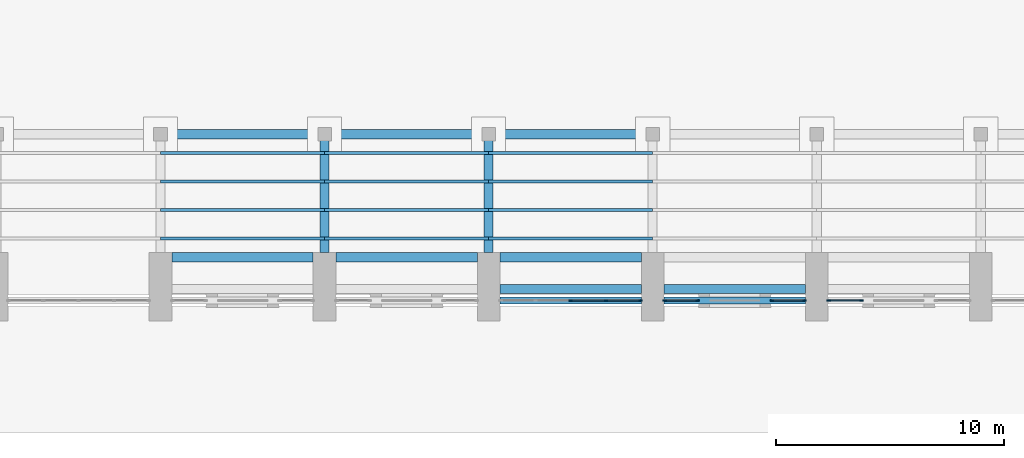
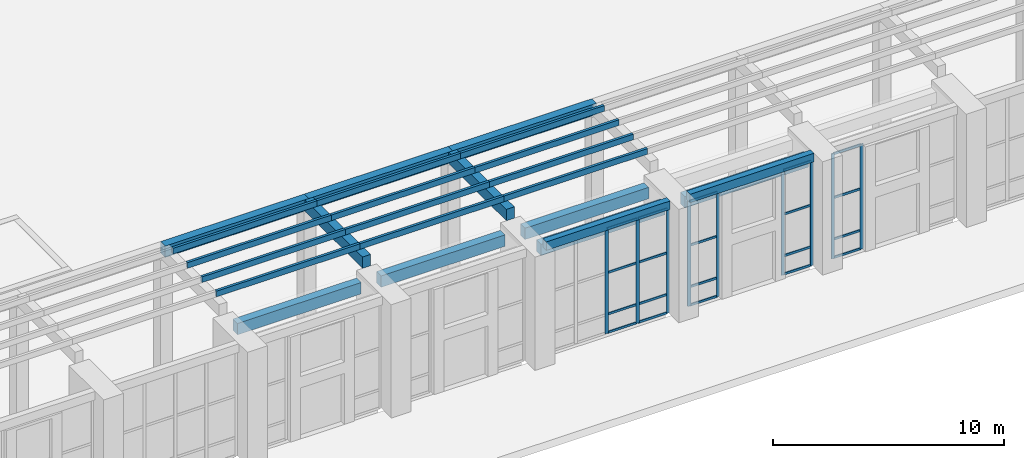
# One storey, part 17 of 70: 41 members, 12 beams, 4 elements without a shape of their own.
"""IFC4 building model written with IfcOpenShell, lengths in metres."""

from ifc_helpers import new_model, si_unit, direction, frame, origin, origin_2d, place, context, subcontext, project, spatial, rectangle, extrude, material, material_profile, profile_set, type_object, element, aggregate, save


model = new_model("IFC4")

# Units and contexts
model_context = context("Model", 3, precision=1e-05, world=origin(), true_north=direction((0.0, 1.0)))
body_context = subcontext(model_context, "Body", "Model", "MODEL_VIEW")
ifc_project = project(units=[si_unit("LENGTHUNIT", "METRE"), si_unit("AREAUNIT", "SQUARE_METRE"), si_unit("VOLUMEUNIT", "CUBIC_METRE"), si_unit("PLANEANGLEUNIT", "RADIAN"), si_unit("MASSUNIT", "GRAM", prefix="KILO")], contexts=[model_context])

# Site, building, storey
site_placement = place(None, origin())
site = spatial("IfcSite", under=ifc_project, at=site_placement, CompositionType="ELEMENT")
building_placement = place(site_placement, origin())
building = spatial("IfcBuilding", under=site, at=building_placement, Name="Vermilion Court Aquatics Centre", CompositionType="ELEMENT")
storey_placement = place(building_placement, origin())
storey = spatial("IfcBuildingStorey", under=building, at=storey_placement, Name="L00", CompositionType="ELEMENT", Elevation=0.0)

# Beams
ifc_material_1 = material(Name="Concrete 5000 psi", Category="concrete")
ifc_material_profile_1 = material_profile(ifc_material_1, rectangle(XDim=0.39990234375, YDim=0.60009765625, at=origin_2d()), Name="RC 400x600")
ifc_profile_set_1 = profile_set([ifc_material_profile_1], Name="Concrete 5000 psi")
beam_type_1 = type_object("IfcBeamType", Name="Court arcade beam RC 400x600", PredefinedType="BEAM", material=ifc_profile_set_1)
for number, where, z_axis, x_axis, name in (
    (1, (64.800048828125, 66.89990234375, 6.300048828125), (0.0, 1.0, 0.0), (-1.0, 0.0, 0.0), "Court arcade cross beam 8"),
    (2, (72.0, 66.89990234375, 6.300048828125), (0.0, 1.0, 0.0), (-1.0, 0.0, 0.0), "Court arcade cross beam 9"),
):
    element("IfcBeam", number, at=place(storey_placement, frame(where, z_axis=z_axis, x_axis=x_axis)), inside=storey, type_object=beam_type_1, Name=name, PredefinedType="BEAM", context=body_context, shape_type="SweptSolid", body=[
        extrude(rectangle(XDim=0.39990234375, YDim=0.60009765625, at=origin_2d()), origin(), (0.0, 0.0, 1.0), 5.0),
    ])
for number, where, z_axis, x_axis, name in (
    (3, (57.60009765625, 72.10009765625, 6.300048828125), (1.0, 0.0, 0.0), (0.0, 1.0, 0.0), "Court arcade edge beam 7"),
    (4, (64.800048828125, 72.10009765625, 6.300048828125), (1.0, 0.0, 0.0), (0.0, 1.0, 0.0), "Court arcade edge beam 8"),
    (5, (72.0, 72.10009765625, 6.300048828125), (1.0, 0.0, 0.0), (0.0, 1.0, 0.0), "Court arcade edge beam 9"),
):
    element("IfcBeam", number, at=place(storey_placement, frame(where, z_axis=z_axis, x_axis=x_axis)), inside=storey, type_object=beam_type_1, Name=name, PredefinedType="BEAM", context=body_context, shape_type="SweptSolid", body=[
        extrude(rectangle(XDim=0.39990234375, YDim=0.60009765625, at=origin_2d()), origin(), (0.0, 0.0, 1.0), 7.199951171875),
    ])

# Members
ifc_material_2 = material(Name="Glulam 24F-V4 Douglas fir", Category="wood")
ifc_material_profile_2 = material_profile(ifc_material_2, rectangle(XDim=0.1298828125, YDim=0.300048828125, at=origin_2d()), Name="GL24F 130x300")
ifc_profile_set_2 = profile_set([ifc_material_profile_2], Name="Glulam 24F-V4 Douglas fir")
member_type_1 = type_object("IfcMemberType", Name="Court arcade glulam slat GL24F 130x300", PredefinedType="MEMBER", material=ifc_profile_set_2)
for number, where, z_axis, x_axis, name in (
    (6, (57.60009765625, 67.52490234375, 6.75), (1.0, 0.0, 0.0), (0.0, 1.0, 0.0), "Court arcade slat 7.1"),
    (7, (57.60009765625, 68.77490234375, 6.75), (1.0, 0.0, 0.0), (0.0, 1.0, 0.0), "Court arcade slat 7.2"),
    (8, (57.60009765625, 70.02490234375, 6.75), (1.0, 0.0, 0.0), (0.0, 1.0, 0.0), "Court arcade slat 7.3"),
    (9, (57.60009765625, 71.27490234375, 6.75), (1.0, 0.0, 0.0), (0.0, 1.0, 0.0), "Court arcade slat 7.4"),
    (10, (64.800048828125, 67.52490234375, 6.75), (1.0, 0.0, 0.0), (0.0, 1.0, 0.0), "Court arcade slat 8.1"),
    (11, (64.800048828125, 68.77490234375, 6.75), (1.0, 0.0, 0.0), (0.0, 1.0, 0.0), "Court arcade slat 8.2"),
    (12, (64.800048828125, 70.02490234375, 6.75), (1.0, 0.0, 0.0), (0.0, 1.0, 0.0), "Court arcade slat 8.3"),
    (13, (64.800048828125, 71.27490234375, 6.75), (1.0, 0.0, 0.0), (0.0, 1.0, 0.0), "Court arcade slat 8.4"),
    (14, (72.0, 67.52490234375, 6.75), (1.0, 0.0, 0.0), (0.0, 1.0, 0.0), "Court arcade slat 9.1"),
    (15, (72.0, 68.77490234375, 6.75), (1.0, 0.0, 0.0), (0.0, 1.0, 0.0), "Court arcade slat 9.2"),
    (16, (72.0, 70.02490234375, 6.75), (1.0, 0.0, 0.0), (0.0, 1.0, 0.0), "Court arcade slat 9.3"),
    (17, (72.0, 71.27490234375, 6.75), (1.0, 0.0, 0.0), (0.0, 1.0, 0.0), "Court arcade slat 9.4"),
):
    element("IfcMember", number, at=place(storey_placement, frame(where, z_axis=z_axis, x_axis=x_axis)), inside=storey, type_object=member_type_1, Name=name, PredefinedType="MEMBER", context=body_context, shape_type="SweptSolid", body=[
        extrude(rectangle(XDim=0.1298828125, YDim=0.300048828125, at=origin_2d()), origin(), (0.0, 0.0, 1.0), 7.199951171875),
    ])

# Curtain wall, members
ifc_material_3 = material(Name="Aluminium 6063-T5", Category="aluminium")
curtain_wall_type = type_object("IfcCurtainWallType", Name="Envelope curtain wall hall glazing L00", PredefinedType="NOTDEFINED", material=ifc_material_3)
curtain_wall_1_placement = place(storey_placement, origin())
curtain_wall_1 = element("IfcCurtainWall", 18, at=curtain_wall_1_placement, inside=storey, type_object=curtain_wall_type, Name="Hall glazing bay 9 L00", PredefinedType="NOTDEFINED")
ifc_material_4 = material(Name="Aluminium 6063-T5", Category="aluminium")
ifc_material_profile_3 = material_profile(ifc_material_4, rectangle(XDim=0.06005859375, YDim=0.159912109375, at=origin_2d()), Name="AL 60x160")
ifc_profile_set_3 = profile_set([ifc_material_profile_3], Name="Aluminium 6063-T5")
member_type_2 = type_object("IfcMemberType", Name="Envelope aluminium mullion 60x160", PredefinedType="MULLION", material=ifc_profile_set_3)
member_1_placement = place(storey_placement, frame((75.60009765625, 64.800048828125, 0.0), z_axis=(0.0, 0.0, 1.0), x_axis=(0.0, 1.0, 0.0)))
member_1 = element("IfcMember", 19, at=member_1_placement, type_object=member_type_2, Name="ECW1 mullion 3", PredefinedType="MULLION", context=body_context, shape_type="SweptSolid", body=[
    extrude(rectangle(XDim=0.06005859375, YDim=0.159912109375, at=origin_2d()), origin(), (0.0, 0.0, 1.0), 5.550048828125),
])
member_2_placement = place(storey_placement, frame((77.14990234375, 64.800048828125, 0.0), z_axis=(0.0, 0.0, 1.0), x_axis=(0.0, 1.0, 0.0)))
member_2 = element("IfcMember", 20, at=member_2_placement, type_object=member_type_2, Name="ECW1 mullion 4", PredefinedType="MULLION", context=body_context, shape_type="SweptSolid", body=[
    extrude(rectangle(XDim=0.06005859375, YDim=0.159912109375, at=origin_2d()), origin(), (0.0, 0.0, 1.0), 5.550048828125),
])
member_3_placement = place(storey_placement, frame((78.669921875, 64.800048828125, 0.0), z_axis=(0.0, 0.0, 1.0), x_axis=(0.0, 1.0, 0.0)))
member_3 = element("IfcMember", 21, at=member_3_placement, type_object=member_type_2, Name="ECW1 mullion 5", PredefinedType="MULLION", context=body_context, shape_type="SweptSolid", body=[
    extrude(rectangle(XDim=0.06005859375, YDim=0.159912109375, at=origin_2d()), origin(), (0.0, 0.0, 1.0), 5.550048828125),
])

curtain_wall_2_placement = place(storey_placement, origin())
curtain_wall_2 = element("IfcCurtainWall", 22, at=curtain_wall_2_placement, inside=storey, type_object=curtain_wall_type, Name="Hall entrance sidelight bay 10 L00 W", PredefinedType="NOTDEFINED")
member_4_placement = place(storey_placement, frame((79.72998046875, 64.800048828125, 0.0), z_axis=(0.0, 0.0, 1.0), x_axis=(0.0, 1.0, 0.0)))
member_4 = element("IfcMember", 23, at=member_4_placement, type_object=member_type_2, Name="ECW1 mullion 1", PredefinedType="MULLION", context=body_context, shape_type="SweptSolid", body=[
    extrude(rectangle(XDim=0.06005859375, YDim=0.159912109375, at=origin_2d()), origin(), (0.0, 0.0, 1.0), 5.550048828125),
])
member_5_placement = place(storey_placement, frame((81.169921875, 64.800048828125, 0.0), z_axis=(0.0, 0.0, 1.0), x_axis=(0.0, 1.0, 0.0)))
member_5 = element("IfcMember", 24, at=member_5_placement, type_object=member_type_2, Name="ECW1 mullion 2", PredefinedType="MULLION", context=body_context, shape_type="SweptSolid", body=[
    extrude(rectangle(XDim=0.06005859375, YDim=0.159912109375, at=origin_2d()), origin(), (0.0, 0.0, 1.0), 5.550048828125),
])

curtain_wall_3_placement = place(storey_placement, origin())
curtain_wall_3 = element("IfcCurtainWall", 25, at=curtain_wall_3_placement, inside=storey, type_object=curtain_wall_type, Name="Hall entrance sidelight bay 10 L00 E", PredefinedType="NOTDEFINED")
member_6_placement = place(storey_placement, frame((84.429931640625, 64.800048828125, 0.0), z_axis=(0.0, 0.0, 1.0), x_axis=(0.0, 1.0, 0.0)))
member_6 = element("IfcMember", 26, at=member_6_placement, type_object=member_type_2, Name="ECW1 mullion 1", PredefinedType="MULLION", context=body_context, shape_type="SweptSolid", body=[
    extrude(rectangle(XDim=0.06005859375, YDim=0.159912109375, at=origin_2d()), origin(), (0.0, 0.0, 1.0), 5.550048828125),
])
member_7_placement = place(storey_placement, frame((85.8701171875, 64.800048828125, 0.0), z_axis=(0.0, 0.0, 1.0), x_axis=(0.0, 1.0, 0.0)))
member_7 = element("IfcMember", 27, at=member_7_placement, type_object=member_type_2, Name="ECW1 mullion 2", PredefinedType="MULLION", context=body_context, shape_type="SweptSolid", body=[
    extrude(rectangle(XDim=0.06005859375, YDim=0.159912109375, at=origin_2d()), origin(), (0.0, 0.0, 1.0), 5.550048828125),
])

curtain_wall_4_placement = place(storey_placement, origin())
curtain_wall_4 = element("IfcCurtainWall", 28, at=curtain_wall_4_placement, inside=storey, type_object=curtain_wall_type, Name="Hall entrance sidelight bay 11 L00 W", PredefinedType="NOTDEFINED")
member_8_placement = place(storey_placement, frame((86.929931640625, 64.800048828125, 0.0), z_axis=(0.0, 0.0, 1.0), x_axis=(0.0, 1.0, 0.0)))
member_8 = element("IfcMember", 29, at=member_8_placement, type_object=member_type_2, Name="ECW1 mullion 1", PredefinedType="MULLION", context=body_context, shape_type="SweptSolid", body=[
    extrude(rectangle(XDim=0.06005859375, YDim=0.159912109375, at=origin_2d()), origin(), (0.0, 0.0, 1.0), 5.550048828125),
])
member_9_placement = place(storey_placement, frame((88.3701171875, 64.800048828125, 0.0), z_axis=(0.0, 0.0, 1.0), x_axis=(0.0, 1.0, 0.0)))
member_9 = element("IfcMember", 30, at=member_9_placement, type_object=member_type_2, Name="ECW1 mullion 2", PredefinedType="MULLION", context=body_context, shape_type="SweptSolid", body=[
    extrude(rectangle(XDim=0.06005859375, YDim=0.159912109375, at=origin_2d()), origin(), (0.0, 0.0, 1.0), 5.550048828125),
])

# Member
ifc_material_5 = material(Name="Aluminium 6063-T5", Category="aluminium")
ifc_material_profile_4 = material_profile(ifc_material_5, rectangle(XDim=0.06005859375, YDim=0.1201171875, at=origin_2d()), Name="AL 60x120")
ifc_profile_set_4 = profile_set([ifc_material_profile_4], Name="Aluminium 6063-T5")
member_type_3 = type_object("IfcMemberType", Name="Envelope aluminium transom 60x120", PredefinedType="USERDEFINED", material=ifc_profile_set_4)
member_10_placement = place(storey_placement, frame((75.6298828125, 64.800048828125, 0.030029296875), z_axis=(1.0, 0.0, 0.0), x_axis=(0.0, 1.0, 0.0)))
member_10 = element("IfcMember", 31, at=member_10_placement, type_object=member_type_3, Name="ECW1 transom 3.1", ObjectType="TRANSOM", PredefinedType="USERDEFINED", context=body_context, shape_type="SweptSolid", body=[
    extrude(rectangle(XDim=0.06005859375, YDim=0.1201171875, at=origin_2d()), origin(), (0.0, 0.0, 1.0), 1.490234375),
])

member_11_placement = place(storey_placement, frame((75.6298828125, 64.800048828125, 1.0), z_axis=(1.0, 0.0, 0.0), x_axis=(0.0, 1.0, 0.0)))
member_11 = element("IfcMember", 32, at=member_11_placement, type_object=member_type_3, Name="ECW1 transom 3.2", ObjectType="TRANSOM", PredefinedType="USERDEFINED", context=body_context, shape_type="SweptSolid", body=[
    extrude(rectangle(XDim=0.06005859375, YDim=0.1201171875, at=origin_2d()), origin(), (0.0, 0.0, 1.0), 1.490234375),
])

member_12_placement = place(storey_placement, frame((75.6298828125, 64.800048828125, 3.199951171875), z_axis=(1.0, 0.0, 0.0), x_axis=(0.0, 1.0, 0.0)))
member_12 = element("IfcMember", 33, at=member_12_placement, type_object=member_type_3, Name="ECW1 transom 3.3", ObjectType="TRANSOM", PredefinedType="USERDEFINED", context=body_context, shape_type="SweptSolid", body=[
    extrude(rectangle(XDim=0.06005859375, YDim=0.1201171875, at=origin_2d()), origin(), (0.0, 0.0, 1.0), 1.490234375),
])

member_13_placement = place(storey_placement, frame((75.6298828125, 64.800048828125, 5.52001953125), z_axis=(1.0, 0.0, 0.0), x_axis=(0.0, 1.0, 0.0)))
member_13 = element("IfcMember", 34, at=member_13_placement, type_object=member_type_3, Name="ECW1 transom 3.4", ObjectType="TRANSOM", PredefinedType="USERDEFINED", context=body_context, shape_type="SweptSolid", body=[
    extrude(rectangle(XDim=0.06005859375, YDim=0.1201171875, at=origin_2d()), origin(), (0.0, 0.0, 1.0), 1.490234375),
])

member_14_placement = place(storey_placement, frame((77.179931640625, 64.800048828125, 0.030029296875), z_axis=(1.0, 0.0, 0.0), x_axis=(0.0, 1.0, 0.0)))
member_14 = element("IfcMember", 35, at=member_14_placement, type_object=member_type_3, Name="ECW1 transom 4.1", ObjectType="TRANSOM", PredefinedType="USERDEFINED", context=body_context, shape_type="SweptSolid", body=[
    extrude(rectangle(XDim=0.06005859375, YDim=0.1201171875, at=origin_2d()), origin(), (0.0, 0.0, 1.0), 1.4599609375),
])

member_15_placement = place(storey_placement, frame((77.179931640625, 64.800048828125, 1.0), z_axis=(1.0, 0.0, 0.0), x_axis=(0.0, 1.0, 0.0)))
member_15 = element("IfcMember", 36, at=member_15_placement, type_object=member_type_3, Name="ECW1 transom 4.2", ObjectType="TRANSOM", PredefinedType="USERDEFINED", context=body_context, shape_type="SweptSolid", body=[
    extrude(rectangle(XDim=0.06005859375, YDim=0.1201171875, at=origin_2d()), origin(), (0.0, 0.0, 1.0), 1.4599609375),
])

member_16_placement = place(storey_placement, frame((77.179931640625, 64.800048828125, 3.199951171875), z_axis=(1.0, 0.0, 0.0), x_axis=(0.0, 1.0, 0.0)))
member_16 = element("IfcMember", 37, at=member_16_placement, type_object=member_type_3, Name="ECW1 transom 4.3", ObjectType="TRANSOM", PredefinedType="USERDEFINED", context=body_context, shape_type="SweptSolid", body=[
    extrude(rectangle(XDim=0.06005859375, YDim=0.1201171875, at=origin_2d()), origin(), (0.0, 0.0, 1.0), 1.4599609375),
])

member_17_placement = place(storey_placement, frame((77.179931640625, 64.800048828125, 5.52001953125), z_axis=(1.0, 0.0, 0.0), x_axis=(0.0, 1.0, 0.0)))
member_17 = element("IfcMember", 38, at=member_17_placement, type_object=member_type_3, Name="ECW1 transom 4.4", ObjectType="TRANSOM", PredefinedType="USERDEFINED", context=body_context, shape_type="SweptSolid", body=[
    extrude(rectangle(XDim=0.06005859375, YDim=0.1201171875, at=origin_2d()), origin(), (0.0, 0.0, 1.0), 1.4599609375),
])

aggregate(curtain_wall_1, [member_1, member_2, member_3, member_10, member_11, member_12, member_13, member_14, member_15, member_16, member_17])

member_18_placement = place(storey_placement, frame((79.760009765625, 64.800048828125, 0.030029296875), z_axis=(1.0, 0.0, 0.0), x_axis=(0.0, 1.0, 0.0)))
member_18 = element("IfcMember", 39, at=member_18_placement, type_object=member_type_3, Name="ECW1 transom 1.1", ObjectType="TRANSOM", PredefinedType="USERDEFINED", context=body_context, shape_type="SweptSolid", body=[
    extrude(rectangle(XDim=0.06005859375, YDim=0.1201171875, at=origin_2d()), origin(), (0.0, 0.0, 1.0), 1.3798828125),
])

member_19_placement = place(storey_placement, frame((79.760009765625, 64.800048828125, 1.0), z_axis=(1.0, 0.0, 0.0), x_axis=(0.0, 1.0, 0.0)))
member_19 = element("IfcMember", 40, at=member_19_placement, type_object=member_type_3, Name="ECW1 transom 1.2", ObjectType="TRANSOM", PredefinedType="USERDEFINED", context=body_context, shape_type="SweptSolid", body=[
    extrude(rectangle(XDim=0.06005859375, YDim=0.1201171875, at=origin_2d()), origin(), (0.0, 0.0, 1.0), 1.3798828125),
])

member_20_placement = place(storey_placement, frame((79.760009765625, 64.800048828125, 3.199951171875), z_axis=(1.0, 0.0, 0.0), x_axis=(0.0, 1.0, 0.0)))
member_20 = element("IfcMember", 41, at=member_20_placement, type_object=member_type_3, Name="ECW1 transom 1.3", ObjectType="TRANSOM", PredefinedType="USERDEFINED", context=body_context, shape_type="SweptSolid", body=[
    extrude(rectangle(XDim=0.06005859375, YDim=0.1201171875, at=origin_2d()), origin(), (0.0, 0.0, 1.0), 1.3798828125),
])

member_21_placement = place(storey_placement, frame((79.760009765625, 64.800048828125, 5.52001953125), z_axis=(1.0, 0.0, 0.0), x_axis=(0.0, 1.0, 0.0)))
member_21 = element("IfcMember", 42, at=member_21_placement, type_object=member_type_3, Name="ECW1 transom 1.4", ObjectType="TRANSOM", PredefinedType="USERDEFINED", context=body_context, shape_type="SweptSolid", body=[
    extrude(rectangle(XDim=0.06005859375, YDim=0.1201171875, at=origin_2d()), origin(), (0.0, 0.0, 1.0), 1.3798828125),
])

aggregate(curtain_wall_2, [member_4, member_5, member_18, member_19, member_20, member_21])

member_22_placement = place(storey_placement, frame((84.4599609375, 64.800048828125, 0.030029296875), z_axis=(1.0, 0.0, 0.0), x_axis=(0.0, 1.0, 0.0)))
member_22 = element("IfcMember", 43, at=member_22_placement, type_object=member_type_3, Name="ECW1 transom 1.1", ObjectType="TRANSOM", PredefinedType="USERDEFINED", context=body_context, shape_type="SweptSolid", body=[
    extrude(rectangle(XDim=0.06005859375, YDim=0.1201171875, at=origin_2d()), origin(), (0.0, 0.0, 1.0), 1.380126953125),
])

member_23_placement = place(storey_placement, frame((84.4599609375, 64.800048828125, 1.0), z_axis=(1.0, 0.0, 0.0), x_axis=(0.0, 1.0, 0.0)))
member_23 = element("IfcMember", 44, at=member_23_placement, type_object=member_type_3, Name="ECW1 transom 1.2", ObjectType="TRANSOM", PredefinedType="USERDEFINED", context=body_context, shape_type="SweptSolid", body=[
    extrude(rectangle(XDim=0.06005859375, YDim=0.1201171875, at=origin_2d()), origin(), (0.0, 0.0, 1.0), 1.380126953125),
])

member_24_placement = place(storey_placement, frame((84.4599609375, 64.800048828125, 3.199951171875), z_axis=(1.0, 0.0, 0.0), x_axis=(0.0, 1.0, 0.0)))
member_24 = element("IfcMember", 45, at=member_24_placement, type_object=member_type_3, Name="ECW1 transom 1.3", ObjectType="TRANSOM", PredefinedType="USERDEFINED", context=body_context, shape_type="SweptSolid", body=[
    extrude(rectangle(XDim=0.06005859375, YDim=0.1201171875, at=origin_2d()), origin(), (0.0, 0.0, 1.0), 1.380126953125),
])

member_25_placement = place(storey_placement, frame((84.4599609375, 64.800048828125, 5.52001953125), z_axis=(1.0, 0.0, 0.0), x_axis=(0.0, 1.0, 0.0)))
member_25 = element("IfcMember", 46, at=member_25_placement, type_object=member_type_3, Name="ECW1 transom 1.4", ObjectType="TRANSOM", PredefinedType="USERDEFINED", context=body_context, shape_type="SweptSolid", body=[
    extrude(rectangle(XDim=0.06005859375, YDim=0.1201171875, at=origin_2d()), origin(), (0.0, 0.0, 1.0), 1.380126953125),
])

aggregate(curtain_wall_3, [member_6, member_7, member_22, member_23, member_24, member_25])

member_26_placement = place(storey_placement, frame((86.9599609375, 64.800048828125, 0.030029296875), z_axis=(1.0, 0.0, 0.0), x_axis=(0.0, 1.0, 0.0)))
member_26 = element("IfcMember", 47, at=member_26_placement, type_object=member_type_3, Name="ECW1 transom 1.1", ObjectType="TRANSOM", PredefinedType="USERDEFINED", context=body_context, shape_type="SweptSolid", body=[
    extrude(rectangle(XDim=0.06005859375, YDim=0.1201171875, at=origin_2d()), origin(), (0.0, 0.0, 1.0), 1.380126953125),
])

member_27_placement = place(storey_placement, frame((86.9599609375, 64.800048828125, 1.0), z_axis=(1.0, 0.0, 0.0), x_axis=(0.0, 1.0, 0.0)))
member_27 = element("IfcMember", 48, at=member_27_placement, type_object=member_type_3, Name="ECW1 transom 1.2", ObjectType="TRANSOM", PredefinedType="USERDEFINED", context=body_context, shape_type="SweptSolid", body=[
    extrude(rectangle(XDim=0.06005859375, YDim=0.1201171875, at=origin_2d()), origin(), (0.0, 0.0, 1.0), 1.380126953125),
])

member_28_placement = place(storey_placement, frame((86.9599609375, 64.800048828125, 3.199951171875), z_axis=(1.0, 0.0, 0.0), x_axis=(0.0, 1.0, 0.0)))
member_28 = element("IfcMember", 49, at=member_28_placement, type_object=member_type_3, Name="ECW1 transom 1.3", ObjectType="TRANSOM", PredefinedType="USERDEFINED", context=body_context, shape_type="SweptSolid", body=[
    extrude(rectangle(XDim=0.06005859375, YDim=0.1201171875, at=origin_2d()), origin(), (0.0, 0.0, 1.0), 1.380126953125),
])

member_29_placement = place(storey_placement, frame((86.9599609375, 64.800048828125, 5.52001953125), z_axis=(1.0, 0.0, 0.0), x_axis=(0.0, 1.0, 0.0)))
member_29 = element("IfcMember", 50, at=member_29_placement, type_object=member_type_3, Name="ECW1 transom 1.4", ObjectType="TRANSOM", PredefinedType="USERDEFINED", context=body_context, shape_type="SweptSolid", body=[
    extrude(rectangle(XDim=0.06005859375, YDim=0.1201171875, at=origin_2d()), origin(), (0.0, 0.0, 1.0), 1.380126953125),
])

aggregate(curtain_wall_4, [member_8, member_9, member_26, member_27, member_28, member_29])

# Beams
ifc_material_6 = material(Name="Concrete 5000 psi", Category="concrete")
ifc_material_profile_5 = material_profile(ifc_material_6, rectangle(XDim=0.39990234375, YDim=0.60009765625, at=origin_2d()), Name="RC 400x600")
ifc_profile_set_5 = profile_set([ifc_material_profile_5], Name="Concrete 5000 psi")
beam_type_2 = type_object("IfcBeamType", Name="Envelope north entrance canopy edge beam RC 400x600", PredefinedType="BEAM", material=ifc_profile_set_5)
for number, where, z_axis, x_axis, name in (
    (51, (58.10009765625, 66.699951171875, 5.300048828125), (1.0, 0.0, 0.0), (0.0, 1.0, 0.0), "North entrance canopy front beam 7"),
    (52, (65.300048828125, 66.699951171875, 5.300048828125), (1.0, 0.0, 0.0), (0.0, 1.0, 0.0), "North entrance canopy front beam 8"),
    (53, (72.5, 65.300048828125, 5.300048828125), (1.0, 0.0, 0.0), (0.0, 1.0, 0.0), "North entrance canopy beam 9"),
    (54, (72.5, 66.699951171875, 5.300048828125), (1.0, 0.0, 0.0), (0.0, 1.0, 0.0), "North entrance canopy front beam 9"),
    (55, (79.699951171875, 65.300048828125, 5.300048828125), (1.0, 0.0, 0.0), (0.0, 1.0, 0.0), "North entrance canopy beam 10"),
):
    element("IfcBeam", number, at=place(storey_placement, frame(where, z_axis=z_axis, x_axis=x_axis)), inside=storey, type_object=beam_type_2, Name=name, PredefinedType="BEAM", context=body_context, shape_type="SweptSolid", body=[
        extrude(rectangle(XDim=0.39990234375, YDim=0.60009765625, at=origin_2d()), origin(), (0.0, 0.0, 1.0), 6.199951171875),
    ])
ifc_material_7 = material(Name="Concrete 5000 psi", Category="concrete")
ifc_material_profile_6 = material_profile(ifc_material_7, rectangle(XDim=0.300048828125, YDim=0.449951171875, at=origin_2d()), Name="RC 300x450")
ifc_profile_set_6 = profile_set([ifc_material_profile_6], Name="Concrete 5000 psi")
beam_type_3 = type_object("IfcBeamType", Name="Envelope north wall head beam RC 300x450", PredefinedType="BEAM", material=ifc_profile_set_6)
for number, where, z_axis, x_axis, name in (
    (56, (72.5, 64.800048828125, 5.77490234375), (1.0, 0.0, 0.0), (0.0, 1.0, 0.0), "North wall head beam 9"),
    (57, (79.699951171875, 64.800048828125, 5.77490234375), (1.0, 0.0, 0.0), (0.0, 1.0, 0.0), "North wall head beam 10"),
):
    element("IfcBeam", number, at=place(storey_placement, frame(where, z_axis=z_axis, x_axis=x_axis)), inside=storey, type_object=beam_type_3, Name=name, PredefinedType="BEAM", context=body_context, shape_type="SweptSolid", body=[
        extrude(rectangle(XDim=0.300048828125, YDim=0.449951171875, at=origin_2d()), origin(), (0.0, 0.0, 1.0), 6.199951171875),
    ])

save(model, "model.ifc")
